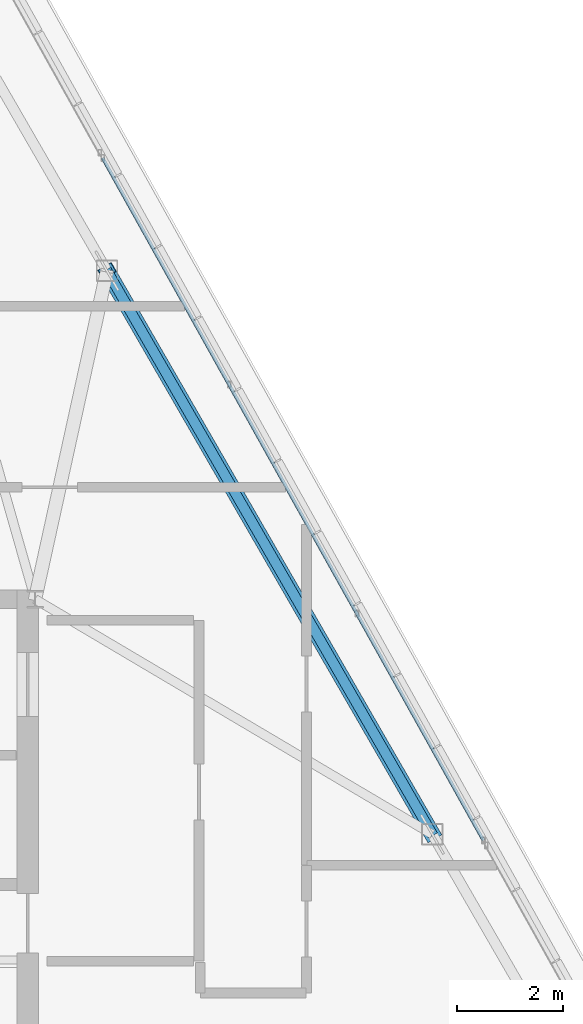
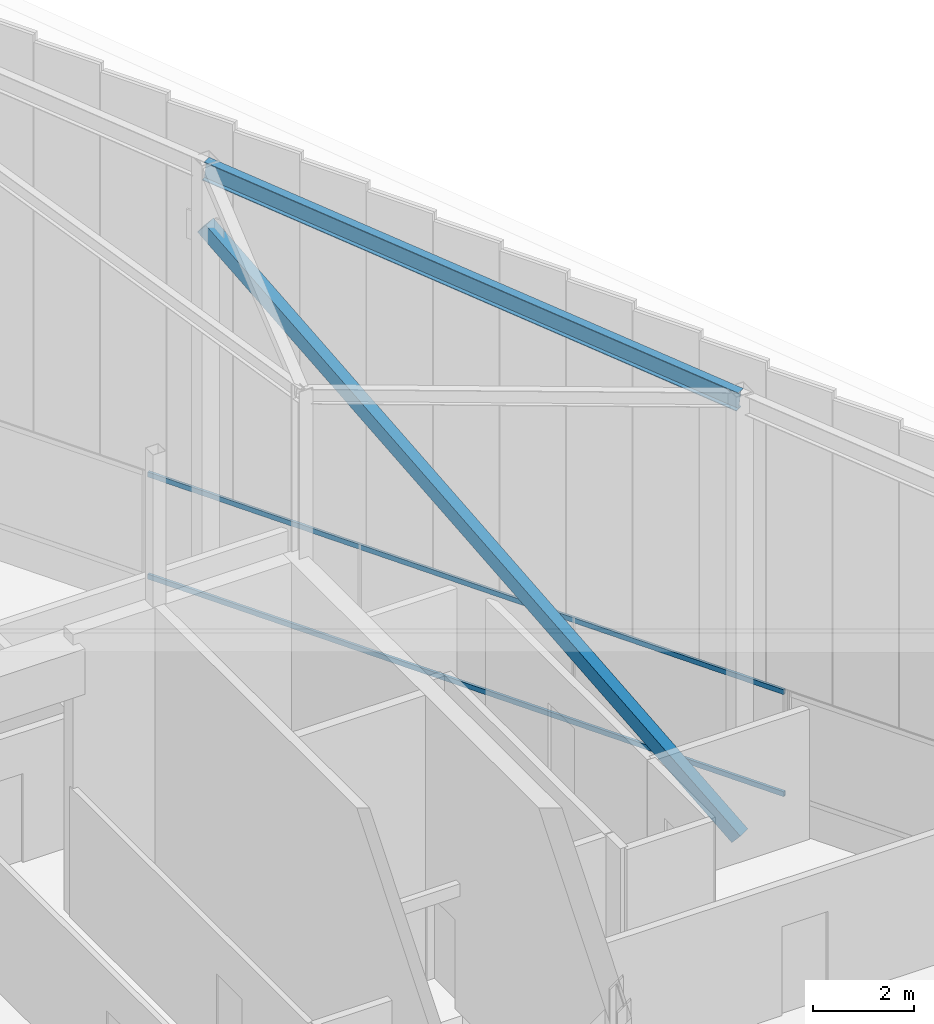
# One storey, part 31 of 50: 3 members, 1 beam, 1 element without a shape of its own.
"""IFC4 building model written with IfcOpenShell, lengths in metres."""

from ifc_helpers import new_model, si_unit, direction, frame, origin, origin_2d, place, context, subcontext, project, spatial, hollow_rectangle, i_section, extrude, source, transform, mapped, material, material_profile, profile_set, type_object, type_shapes, element, aggregate, save


model = new_model("IFC4")

# Units and contexts
model_context = context("Model", 3, precision=1e-05, world=origin(), true_north=direction((0.0, 1.0)))
body_context = subcontext(model_context, "Body", "Model", "MODEL_VIEW")
ifc_project = project(units=[si_unit("LENGTHUNIT", "METRE"), si_unit("AREAUNIT", "SQUARE_METRE"), si_unit("VOLUMEUNIT", "CUBIC_METRE"), si_unit("PLANEANGLEUNIT", "RADIAN"), si_unit("MASSUNIT", "GRAM", prefix="KILO")], contexts=[model_context])

# Site, building, storey
site_placement = place(None, origin())
site = spatial("IfcSite", under=ifc_project, at=site_placement, CompositionType="ELEMENT")
building_placement = place(site_placement, origin())
building = spatial("IfcBuilding", under=site, at=building_placement, Name="Caelisora Broadcast Tower", CompositionType="ELEMENT")
storey_placement = place(building_placement, frame((0.0, 0.0, 303.39990234375)))
storey = spatial("IfcBuildingStorey", under=building, at=storey_placement, Name="L80", CompositionType="ELEMENT", Elevation=303.39990234375)

# Member
ifc_material_1 = material(Name="Steel Grade 450 (AS/NZS 1163 C450L0)", Category="steel")
ifc_material_profile_1 = material_profile(ifc_material_1, hollow_rectangle(XDim=0.300048828125, YDim=0.300048828125, WallThickness=0.012451171875, at=origin_2d()), Name="Steel Grade 450 (AS/NZS 1163 C450L0)")
ifc_profile_set_1 = profile_set([ifc_material_profile_1], Name="Steel Grade 450 (AS/NZS 1163 C450L0)")
member_type_1 = type_object("IfcMemberType", Name="BR06", PredefinedType="BRACE", material=ifc_profile_set_1)
shared_shape_1 = source(origin(), body_context, "Body", "SweptSolid", [
    extrude(hollow_rectangle(XDim=0.300048828125, YDim=0.300048828125, WallThickness=0.012451171875, at=origin_2d()), origin(), (0.0, 0.0, 1.0), 16.11083984375),
])
type_shapes(member_type_1, [shared_shape_1])
member_1_placement = place(storey_placement, frame((52.964111328125, 25.581298828125, 0.10009765625), z_axis=(-0.379407030668, 0.657162011901, 0.651297470587), x_axis=(-0.866028618627, -0.499994431688, 0.0)))
element("IfcMember", 1, at=member_1_placement, inside=storey, type_object=member_type_1, Name="L80 perimeter brace BR06", PredefinedType="BRACE", context=body_context, shape_type="MappedRepresentation", body=[
    mapped(shared_shape_1, transform((0.0, 0.0, 0.0), scale=1.0)),
])

# Beam
ifc_material_2 = material(Name="Steel Grade 350 (AS/NZS 3679.1)", Category="steel")
ifc_material_profile_2 = material_profile(ifc_material_2, i_section(OverallWidth=0.19091796875, OverallDepth=0.46044921875, WebThickness=0.010009765625, FlangeThickness=0.01611328125, at=origin_2d()), Name="Steel Grade 350 (AS/NZS 3679.1)")
ifc_profile_set_2 = profile_set([ifc_material_profile_2], Name="Steel Grade 350 (AS/NZS 3679.1)")
beam_type = type_object("IfcBeamType", Name="RB01", PredefinedType="USERDEFINED", material=ifc_profile_set_2)
shared_shape_2 = source(origin(), body_context, "Body", "SweptSolid", [
    extrude(i_section(OverallWidth=0.19091796875, OverallDepth=0.46044921875, WebThickness=0.010009765625, FlangeThickness=0.01611328125, at=origin_2d()), origin(), (0.0, 0.0, 1.0), 12.295654296875),
])
type_shapes(beam_type, [shared_shape_2])
beam_placement = place(storey_placement, frame((52.964111328125, 25.581298828125, 10.6416015625), z_axis=(-0.497131273125, 0.861069408888, 0.106864261371), x_axis=(-0.866028618627, -0.499994431688, 0.0)))
element("IfcBeam", 2, at=beam_placement, inside=storey, type_object=beam_type, Name="L80 beam RB01", ObjectType="RAFTER", PredefinedType="USERDEFINED", context=body_context, shape_type="MappedRepresentation", body=[
    mapped(shared_shape_2, transform((0.0, 0.0, 0.0), scale=1.0)),
])

# Curtain wall, members
ifc_material_3 = material(Name="Unitised Aluminium Insulated Shadow-Box Spandrel Curtain Wall", Category="aluminium")
curtain_wall_type = type_object("IfcCurtainWallType", Name="CW-SP3", PredefinedType="NOTDEFINED", material=ifc_material_3)
curtain_wall_placement = place(storey_placement, origin())
curtain_wall = element("IfcCurtainWall", 3, at=curtain_wall_placement, inside=storey, type_object=curtain_wall_type, Name="L80 curtain wall CW-SP3", PredefinedType="NOTDEFINED")
ifc_material_4 = material(Name="Aluminium 6063-T6 Anodised Terracotta Bronze", Category="aluminium")
ifc_material_profile_3 = material_profile(ifc_material_4, hollow_rectangle(XDim=0.06005859375, YDim=0.1201171875, WallThickness=0.0029296875, at=origin_2d()), Name="Aluminium 6063-T6 Anodised Terracotta Bronze")
ifc_profile_set_3 = profile_set([ifc_material_profile_3], Name="Aluminium 6063-T6 Anodised Terracotta Bronze")
member_type_2 = type_object("IfcMemberType", Name="CWT-03", PredefinedType="USERDEFINED", material=ifc_profile_set_3)
shared_shape_3 = source(origin(), body_context, "Body", "SweptSolid", [
    extrude(hollow_rectangle(XDim=0.06005859375, YDim=0.1201171875, WallThickness=0.0029296875, at=origin_2d()), origin(), (0.0, 0.0, 1.0), 14.68359375),
])
type_shapes(member_type_2, [shared_shape_3])
member_2_placement = place(storey_placement, frame((46.77001953125, 38.290283203125, 0.85009765625), z_axis=(0.487264146414, -0.873254631605, 0.0), x_axis=(0.873254631605, 0.487264146414, 0.0)))
member_2 = element("IfcMember", 4, at=member_2_placement, type_object=member_type_2, Name="L80-CW-B02 transom #1", ObjectType="TRANSOM", PredefinedType="USERDEFINED", context=body_context, shape_type="MappedRepresentation", body=[
    mapped(shared_shape_3, transform((0.0, 0.0, 0.0), scale=1.0)),
])
member_3_placement = place(storey_placement, frame((46.77001953125, 38.290283203125, 3.320068359375), z_axis=(0.487264146414, -0.873254631605, 0.0), x_axis=(0.873254631605, 0.487264146414, 0.0)))
member_3 = element("IfcMember", 5, at=member_3_placement, type_object=member_type_2, Name="L80-CW-B02 transom #2", ObjectType="TRANSOM", PredefinedType="USERDEFINED", context=body_context, shape_type="MappedRepresentation", body=[
    mapped(shared_shape_3, transform((0.0, 0.0, 0.0), scale=1.0)),
])
aggregate(curtain_wall, [member_2, member_3])

save(model, "model.ifc")
